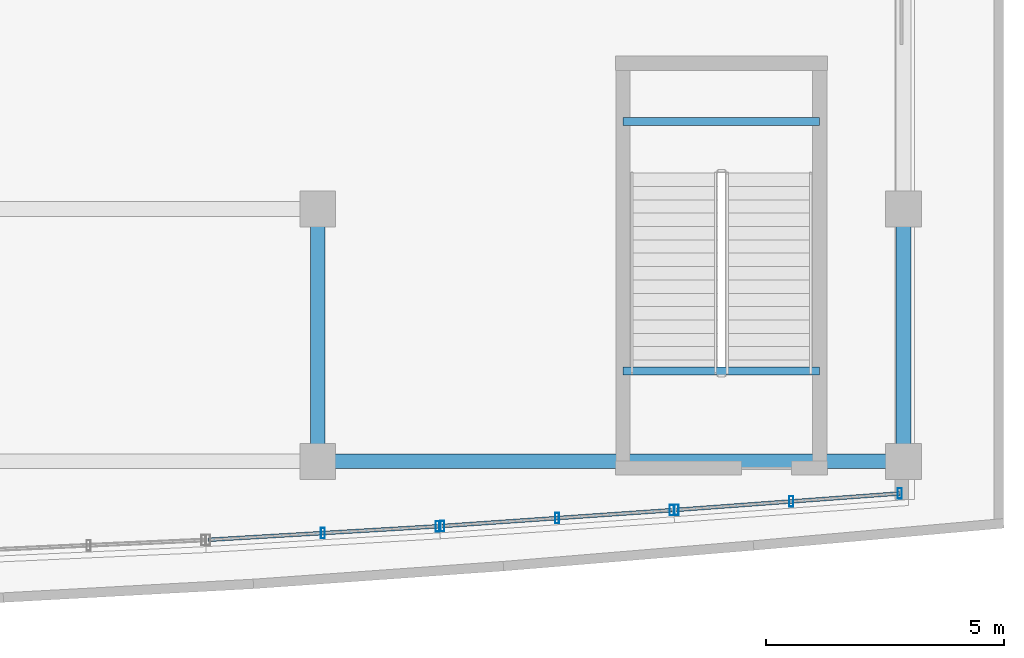
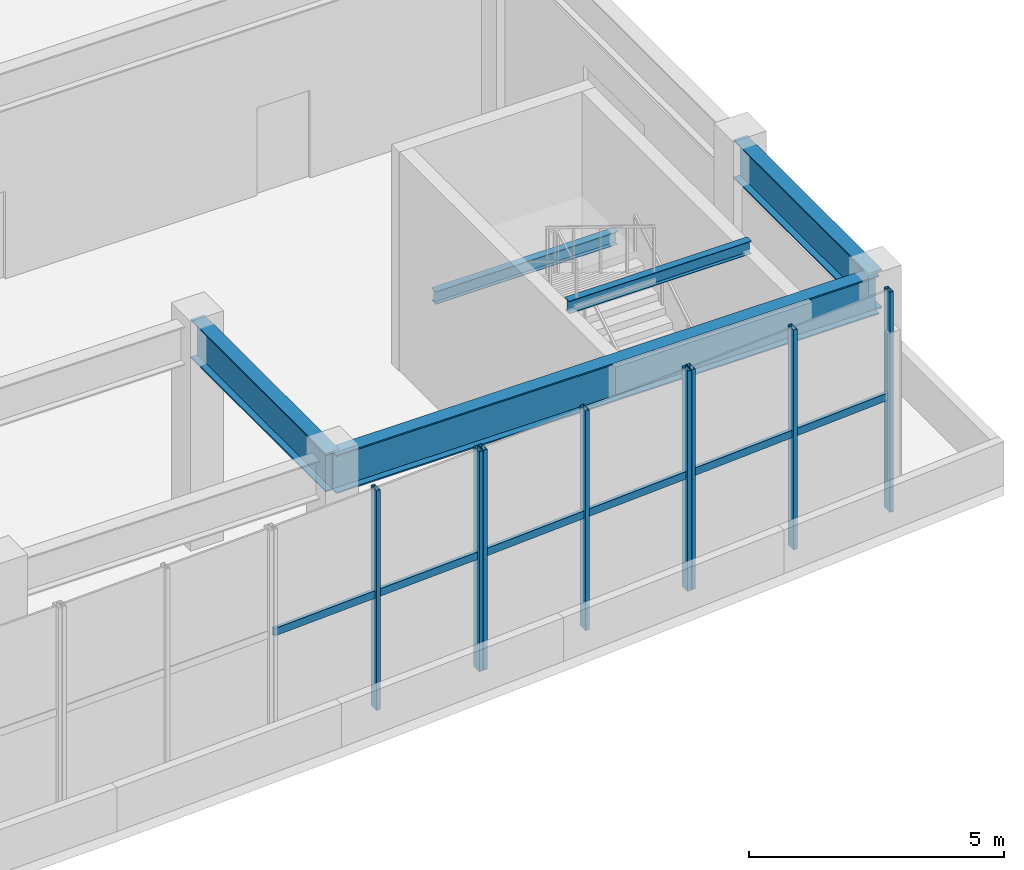
# One storey, part 9 of 24: 11 members, 5 beams, 3 elements without a shape of their own.
"""IFC4 building model written with IfcOpenShell, lengths in metres."""

from ifc_helpers import new_model, si_unit, direction, frame, origin, origin_2d, place, context, subcontext, project, spatial, hollow_rectangle, i_section, extrude, material, layer, layer_set, material_profile, profile_set, type_object, element, aggregate, save


model = new_model("IFC4")

# Units and contexts
model_context = context("Model", 3, precision=1e-05, world=origin(), true_north=direction((0.0, 1.0)))
body_context = subcontext(model_context, "Body", "Model", "MODEL_VIEW")
ifc_project = project(units=[si_unit("LENGTHUNIT", "METRE"), si_unit("AREAUNIT", "SQUARE_METRE"), si_unit("VOLUMEUNIT", "CUBIC_METRE"), si_unit("PLANEANGLEUNIT", "RADIAN"), si_unit("MASSUNIT", "GRAM", prefix="KILO")], contexts=[model_context])

# Site, building, storey
site_placement = place(None, origin())
site = spatial("IfcSite", under=ifc_project, at=site_placement, CompositionType="ELEMENT")
building_placement = place(site_placement, origin())
building = spatial("IfcBuilding", under=site, at=building_placement, Name="Vantalir Tower", CompositionType="ELEMENT")
storey_placement = place(building_placement, frame((0.0, 0.0, 16.0)))
storey = spatial("IfcBuildingStorey", under=building, at=storey_placement, Name="L03", CompositionType="ELEMENT", Elevation=16.0)

# Beams
ifc_material_1 = material(Name="Steel S355", Category="steel")
ifc_material_profile_1 = material_profile(ifc_material_1, i_section(OverallWidth=0.166015625, OverallDepth=0.306884765625, WebThickness=0.006591796875, FlangeThickness=0.01171875, at=origin_2d()), Name="Steel S355")
ifc_profile_set_1 = profile_set([ifc_material_profile_1], Name="Steel S355")
beam_type_1 = type_object("IfcBeamType", Name="BM-JS-305x165", PredefinedType="JOIST", material=ifc_profile_set_1)
for number, where, z_axis, x_axis, name in (
    (1, (55.010009765625, 5.094970703125, 5.345947265625), (1.0, 0.0, 0.0), (0.0, 1.0, 0.0), "L04 Stair PST4 Well Nosing Trimmer Beam"),
    (2, (55.010009765625, 10.3349609375, 2.39599609375), (1.0, 0.0, 0.0), (0.0, 1.0, 0.0), "L03 Stair PST4 Half-Landing Support Beam"),
):
    element("IfcBeam", number, at=place(storey_placement, frame(where, z_axis=z_axis, x_axis=x_axis)), inside=storey, type_object=beam_type_1, Name=name, PredefinedType="JOIST", context=body_context, shape_type="SweptSolid", body=[
        extrude(i_section(OverallWidth=0.166015625, OverallDepth=0.306884765625, WebThickness=0.006591796875, FlangeThickness=0.01171875, at=origin_2d()), origin(), (0.0, 0.0, 1.0), 4.1298828125),
    ])
ifc_material_profile_2 = material_profile(ifc_material_1, i_section(OverallWidth=0.30810546875, OverallDepth=0.927001953125, WebThickness=0.01953125, FlangeThickness=0.031982421875, at=origin_2d()), Name="Steel S355")
ifc_profile_set_2 = profile_set([ifc_material_profile_2], Name="Steel S355")
beam_type_2 = type_object("IfcBeamType", Name="BM-PG-914x305", PredefinedType="USERDEFINED", material=ifc_profile_set_2)
beam_placement = place(storey_placement, frame((48.60009765625, 3.199951171875, 4.785888671875), z_axis=(1.0, 0.0, 0.0), x_axis=(0.0, 1.0, 0.0)))
element("IfcBeam", 3, at=beam_placement, inside=storey, type_object=beam_type_2, Name="L03 Podium E-W Girder 06", ObjectType="GIRDER", PredefinedType="USERDEFINED", context=body_context, shape_type="SweptSolid", body=[
    extrude(i_section(OverallWidth=0.30810546875, OverallDepth=0.927001953125, WebThickness=0.01953125, FlangeThickness=0.031982421875, at=origin_2d()), origin(), (0.0, 0.0, 1.0), 12.2998046875),
])
for number, where, z_axis, x_axis, name in (
    (4, (48.60009765625, 3.199951171875, 4.785888671875), (0.0, 1.0, 0.0), (-1.0, 0.0, 0.0), "L03 Podium N-S Girder 70"),
    (5, (60.89990234375, 3.199951171875, 4.785888671875), (0.0, 1.0, 0.0), (-1.0, 0.0, 0.0), "L03 Podium N-S Girder 71"),
):
    element("IfcBeam", number, at=place(storey_placement, frame(where, z_axis=z_axis, x_axis=x_axis)), inside=storey, type_object=beam_type_2, Name=name, ObjectType="GIRDER", PredefinedType="USERDEFINED", context=body_context, shape_type="SweptSolid", body=[
        extrude(i_section(OverallWidth=0.30810546875, OverallDepth=0.927001953125, WebThickness=0.01953125, FlangeThickness=0.031982421875, at=origin_2d()), origin(), (0.0, 0.0, 1.0), 5.300048828125),
    ])

# Curtain wall, members
ifc_material_2 = material(Name="Champagne-silver PVDF aluminium and double-silver Low-E glass", Category="aluminium")
ifc_layer = layer(ifc_material_2, 0.239990234375)
ifc_layer_set = layer_set([ifc_layer], Name="Champagne-silver PVDF aluminium and double-silver Low-E glass")
curtain_wall_type = type_object("IfcCurtainWallType", Name="CW-PODIUM-WF", PredefinedType="USERDEFINED", material=ifc_layer_set)
curtain_wall_1_placement = place(storey_placement, origin())
curtain_wall_1 = element("IfcCurtainWall", 6, at=curtain_wall_1_placement, inside=storey, type_object=curtain_wall_type, Name="L03 Waterfront Stick Curtain Wall 10", ObjectType="STICK CURTAIN WALL", PredefinedType="USERDEFINED")
ifc_material_3 = material(Name="Champagne-silver PVDF aluminium 6063-T6", Category="aluminium")
ifc_material_profile_3 = material_profile(ifc_material_3, hollow_rectangle(XDim=0.0849609375, YDim=0.219970703125, WallThickness=0.0048828125, at=origin_2d()), Name="Champagne-silver PVDF aluminium 6063-T6")
ifc_profile_set_3 = profile_set([ifc_material_profile_3], Name="Champagne-silver PVDF aluminium 6063-T6")
member_type_1 = type_object("IfcMemberType", Name="CWM-220x85", PredefinedType="MULLION", material=ifc_profile_set_3)
member_1_placement = place(storey_placement, frame((48.7080078125, 1.695068359375, -0.011962890625), z_axis=(0.0, 0.0, 1.0), x_axis=(1.0, 0.0, 0.0)))
member_1 = element("IfcMember", 7, at=member_1_placement, type_object=member_type_1, Name="CW-L03-WF-10 Mullion 2", PredefinedType="MULLION", context=body_context, shape_type="SweptSolid", body=[
    extrude(hollow_rectangle(XDim=0.0849609375, YDim=0.219970703125, WallThickness=0.0048828125, at=origin_2d()), origin(), (0.0, 0.0, 1.0), 5.27392578125),
])
member_2_placement = place(storey_placement, frame((51.116943359375, 1.8369140625, -0.011962890625), z_axis=(0.0, 0.0, 1.0), x_axis=(1.0, 0.0, 0.0)))
member_2 = element("IfcMember", 8, at=member_2_placement, type_object=member_type_1, Name="CW-L03-WF-10 Mullion 3", PredefinedType="MULLION", context=body_context, shape_type="SweptSolid", body=[
    extrude(hollow_rectangle(XDim=0.0849609375, YDim=0.219970703125, WallThickness=0.0048828125, at=origin_2d()), origin(), (0.0, 0.0, 1.0), 5.27392578125),
])

curtain_wall_2_placement = place(storey_placement, origin())
curtain_wall_2 = element("IfcCurtainWall", 9, at=curtain_wall_2_placement, inside=storey, type_object=curtain_wall_type, Name="L03 Waterfront Stick Curtain Wall 11", ObjectType="STICK CURTAIN WALL", PredefinedType="USERDEFINED")
member_3_placement = place(storey_placement, frame((51.217041015625, 1.843017578125, -0.011962890625), z_axis=(0.0, 0.0, 1.0), x_axis=(1.0, 0.0, 0.0)))
member_3 = element("IfcMember", 10, at=member_3_placement, type_object=member_type_1, Name="CW-L03-WF-11 Mullion 1", PredefinedType="MULLION", context=body_context, shape_type="SweptSolid", body=[
    extrude(hollow_rectangle(XDim=0.0849609375, YDim=0.219970703125, WallThickness=0.0048828125, at=origin_2d()), origin(), (0.0, 0.0, 1.0), 5.27392578125),
])
member_4_placement = place(storey_placement, frame((53.625, 2.009033203125, -0.011962890625), z_axis=(0.0, 0.0, 1.0), x_axis=(1.0, 0.0, 0.0)))
member_4 = element("IfcMember", 11, at=member_4_placement, type_object=member_type_1, Name="CW-L03-WF-11 Mullion 2", PredefinedType="MULLION", context=body_context, shape_type="SweptSolid", body=[
    extrude(hollow_rectangle(XDim=0.0849609375, YDim=0.219970703125, WallThickness=0.0048828125, at=origin_2d()), origin(), (0.0, 0.0, 1.0), 5.27392578125),
])
member_5_placement = place(storey_placement, frame((56.032958984375, 2.175048828125, -0.011962890625), z_axis=(0.0, 0.0, 1.0), x_axis=(1.0, 0.0, 0.0)))
member_5 = element("IfcMember", 12, at=member_5_placement, type_object=member_type_1, Name="CW-L03-WF-11 Mullion 3", PredefinedType="MULLION", context=body_context, shape_type="SweptSolid", body=[
    extrude(hollow_rectangle(XDim=0.0849609375, YDim=0.219970703125, WallThickness=0.0048828125, at=origin_2d()), origin(), (0.0, 0.0, 1.0), 5.27392578125),
])

curtain_wall_3_placement = place(storey_placement, origin())
curtain_wall_3 = element("IfcCurtainWall", 13, at=curtain_wall_3_placement, inside=storey, type_object=curtain_wall_type, Name="L03 Waterfront Stick Curtain Wall 12", ObjectType="STICK CURTAIN WALL", PredefinedType="USERDEFINED")
member_6_placement = place(storey_placement, frame((56.133056640625, 2.181884765625, -0.011962890625), z_axis=(0.0, 0.0, 1.0), x_axis=(1.0, 0.0, 0.0)))
member_6 = element("IfcMember", 14, at=member_6_placement, type_object=member_type_1, Name="CW-L03-WF-12 Mullion 1", PredefinedType="MULLION", context=body_context, shape_type="SweptSolid", body=[
    extrude(hollow_rectangle(XDim=0.0849609375, YDim=0.219970703125, WallThickness=0.0048828125, at=origin_2d()), origin(), (0.0, 0.0, 1.0), 5.27392578125),
])
member_7_placement = place(storey_placement, frame((58.5419921875, 2.35888671875, -0.011962890625), z_axis=(0.0, 0.0, 1.0), x_axis=(1.0, 0.0, 0.0)))
member_7 = element("IfcMember", 15, at=member_7_placement, type_object=member_type_1, Name="CW-L03-WF-12 Mullion 2", PredefinedType="MULLION", context=body_context, shape_type="SweptSolid", body=[
    extrude(hollow_rectangle(XDim=0.0849609375, YDim=0.219970703125, WallThickness=0.0048828125, at=origin_2d()), origin(), (0.0, 0.0, 1.0), 5.27392578125),
])
member_8_placement = place(storey_placement, frame((60.820068359375, 2.527099609375, -0.011962890625), z_axis=(0.0, 0.0, 1.0), x_axis=(1.0, 0.0, 0.0)))
member_8 = element("IfcMember", 16, at=member_8_placement, type_object=member_type_1, Name="CW-L03-WF-12 Mullion 3", PredefinedType="MULLION", context=body_context, shape_type="SweptSolid", body=[
    extrude(hollow_rectangle(XDim=0.0849609375, YDim=0.219970703125, WallThickness=0.0048828125, at=origin_2d()), origin(), (0.0, 0.0, 1.0), 5.27392578125),
])

# Member
ifc_material_profile_4 = material_profile(ifc_material_3, hollow_rectangle(XDim=0.080078125, YDim=0.179931640625, WallThickness=0.0048828125, at=origin_2d()), Name="Champagne-silver PVDF aluminium 6063-T6")
ifc_profile_set_4 = profile_set([ifc_material_profile_4], Name="Champagne-silver PVDF aluminium 6063-T6")
member_type_2 = type_object("IfcMemberType", Name="CWT-180x80", PredefinedType="USERDEFINED", material=ifc_profile_set_4)
member_9_placement = place(storey_placement, frame((46.300048828125, 1.552978515625, 2.72998046875), z_axis=(0.998267212482, 0.058843627375, 0.0), x_axis=(-0.058843627375, 0.998267212482, 0.0)))
member_9 = element("IfcMember", 17, at=member_9_placement, type_object=member_type_2, Name="CW-L03-WF-10 Transom 1", ObjectType="TRANSOM", PredefinedType="USERDEFINED", context=body_context, shape_type="SweptSolid", body=[
    extrude(hollow_rectangle(XDim=0.080078125, YDim=0.179931640625, WallThickness=0.0048828125, at=origin_2d()), origin(), (0.0, 0.0, 1.0), 4.8251953125),
])

aggregate(curtain_wall_1, [member_1, member_2, member_9])

member_10_placement = place(storey_placement, frame((51.217041015625, 1.843017578125, 2.72998046875), z_axis=(0.99763176464, 0.068781263303, 0.0), x_axis=(-0.068781263303, 0.99763176464, 0.0)))
member_10 = element("IfcMember", 18, at=member_10_placement, type_object=member_type_2, Name="CW-L03-WF-11 Transom 1", ObjectType="TRANSOM", PredefinedType="USERDEFINED", context=body_context, shape_type="SweptSolid", body=[
    extrude(hollow_rectangle(XDim=0.080078125, YDim=0.179931640625, WallThickness=0.0048828125, at=origin_2d()), origin(), (0.0, 0.0, 1.0), 4.827392578125),
])

aggregate(curtain_wall_2, [member_3, member_4, member_5, member_10])

member_11_placement = place(storey_placement, frame((56.133056640625, 2.181884765625, 2.72998046875), z_axis=(0.997298566733, 0.073454535543, 0.0), x_axis=(-0.073454535543, 0.997298566733, 0.0)))
member_11 = element("IfcMember", 19, at=member_11_placement, type_object=member_type_2, Name="CW-L03-WF-12 Transom 1", ObjectType="TRANSOM", PredefinedType="USERDEFINED", context=body_context, shape_type="SweptSolid", body=[
    extrude(hollow_rectangle(XDim=0.080078125, YDim=0.179931640625, WallThickness=0.0048828125, at=origin_2d()), origin(), (0.0, 0.0, 1.0), 4.69970703125),
])

aggregate(curtain_wall_3, [member_6, member_7, member_8, member_11])

save(model, "model.ifc")
